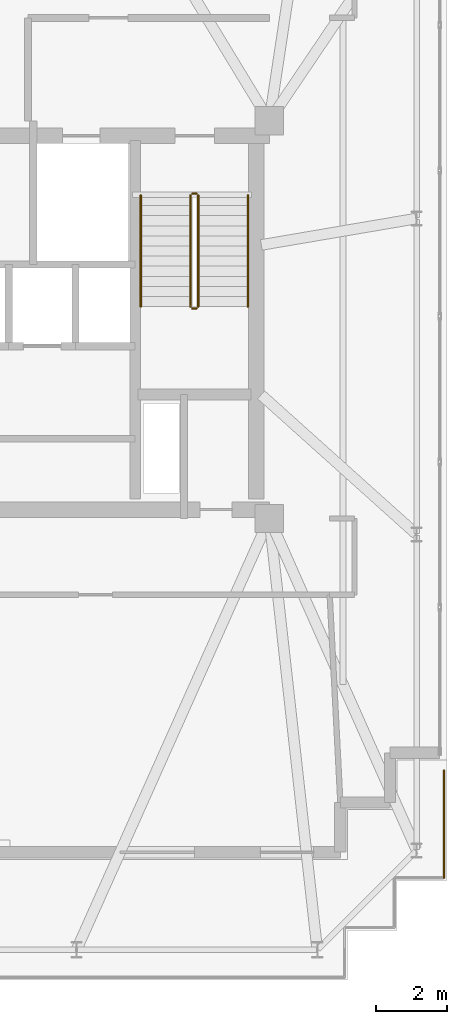
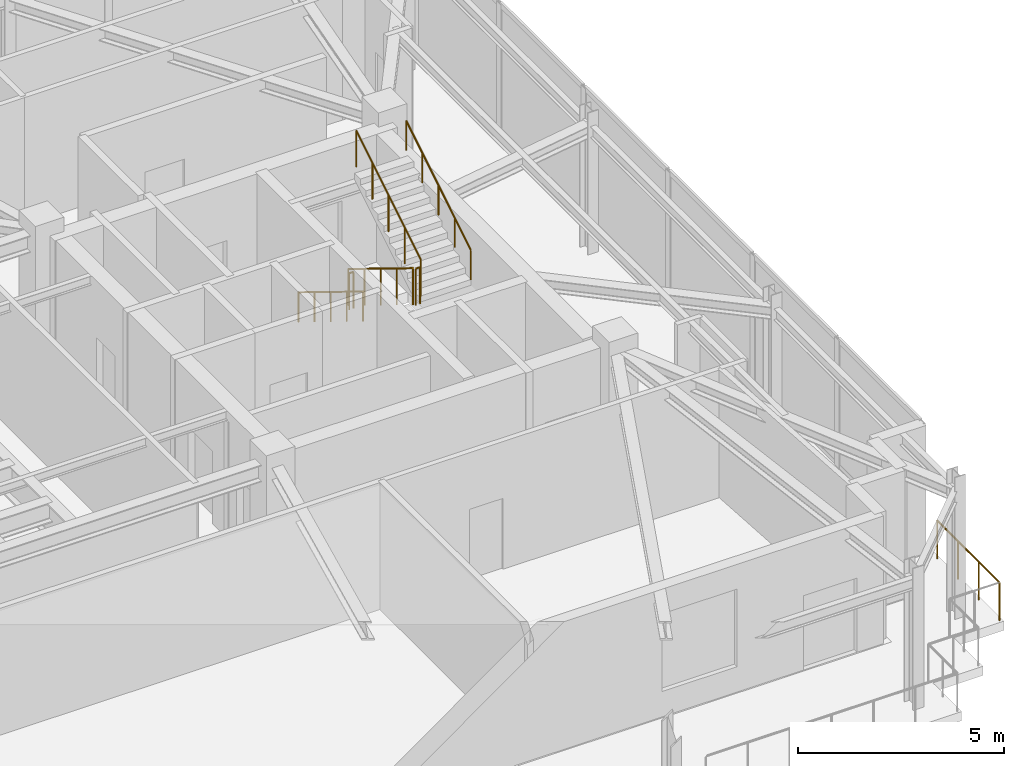
# One storey, part 24 of 24: 7 railings.
"""IFC4 building model written with IfcOpenShell, lengths in metres."""

from ifc_helpers import new_model, si_unit, direction, frame, origin, origin_2d, place, context, subcontext, project, spatial, circle, extrude, material, type_object, element, save


model = new_model("IFC4")

# Units and contexts
model_context = context("Model", 3, precision=1e-05, world=origin(), true_north=direction((0.0, 1.0)))
body_context = subcontext(model_context, "Body", "Model", "MODEL_VIEW")
ifc_project = project(units=[si_unit("LENGTHUNIT", "METRE"), si_unit("AREAUNIT", "SQUARE_METRE"), si_unit("VOLUMEUNIT", "CUBIC_METRE"), si_unit("PLANEANGLEUNIT", "RADIAN"), si_unit("MASSUNIT", "GRAM", prefix="KILO")], contexts=[model_context])

# Site, building, storey
site_placement = place(None, origin())
site = spatial("IfcSite", under=ifc_project, at=site_placement, CompositionType="ELEMENT")
building_placement = place(site_placement, origin())
building = spatial("IfcBuilding", under=site, at=building_placement, Name="Qobustan Lattice House", CompositionType="ELEMENT")
storey_placement = place(building_placement, frame((0.0, 0.0, 261.800048828125)))
storey = spatial("IfcBuildingStorey", under=building, at=storey_placement, Name="L74", CompositionType="ELEMENT", Elevation=261.800048828125)

# Railings
ifc_material_1 = material(Name="Brushed stainless steel handrail", Category="steel")
railing_type_1 = type_object("IfcRailingType", Name="RAL-HR-920", PredefinedType="HANDRAIL", material=ifc_material_1)
railing_1_placement = place(storey_placement, frame((15.179931640625, 3.5, 0.175048828125)))
element("IfcRailing", 1, at=railing_1_placement, inside=storey, type_object=railing_type_1, Name="L74 ST-E1 stair handrail 1", PredefinedType="HANDRAIL", context=body_context, shape_type="SweptSolid", body=[
    extrude(circle(Radius=0.02392578125, at=origin_2d()), frame((0.0, 0.0, 0.8759765625), z_axis=(0.0, -0.852195625947, 0.523223293744), x_axis=(1.0, 0.0, 0.0)), (0.0, 0.0, 1.0), 3.6787109375),
    extrude(circle(Radius=0.02099609375, at=origin_2d()), origin(), (0.0, 0.0, 1.0), 0.851806640625),
    extrude(circle(Radius=0.02099609375, at=origin_2d()), frame((0.0, -0.78369140625, 0.481201171875)), (0.0, 0.0, 1.0), 0.851806640625),
    extrude(circle(Radius=0.02099609375, at=origin_2d()), frame((0.0, -1.5673828125, 0.96240234375)), (0.0, 0.0, 1.0), 0.851806640625),
    extrude(circle(Radius=0.02099609375, at=origin_2d()), frame((0.0, -2.351318359375, 1.443603515625)), (0.0, 0.0, 1.0), 0.851806640625),
    extrude(circle(Radius=0.02099609375, at=origin_2d()), frame((0.0, -3.135009765625, 1.9248046875)), (0.0, 0.0, 1.0), 0.851806640625),
])
railing_2_placement = place(storey_placement, frame((18.199951171875, 0.364990234375, 2.27490234375)))
element("IfcRailing", 2, at=railing_2_placement, inside=storey, type_object=railing_type_1, Name="L74 ST-E1 stair handrail 2", PredefinedType="HANDRAIL", context=body_context, shape_type="SweptSolid", body=[
    extrude(circle(Radius=0.02392578125, at=origin_2d()), frame((0.0, 0.0, 0.8759765625), z_axis=(0.0, 0.852166034122, 0.523271488128), x_axis=(-1.0, 0.0, 0.0)), (0.0, 0.0, 1.0), 3.678955078125),
    extrude(circle(Radius=0.02099609375, at=origin_2d()), origin(), (0.0, 0.0, 1.0), 0.851806640625),
    extrude(circle(Radius=0.02099609375, at=origin_2d()), frame((0.0, 0.78369140625, 0.481201171875)), (0.0, 0.0, 1.0), 0.851806640625),
    extrude(circle(Radius=0.02099609375, at=origin_2d()), frame((0.0, 1.5673828125, 0.96240234375)), (0.0, 0.0, 1.0), 0.851806640625),
    extrude(circle(Radius=0.02099609375, at=origin_2d()), frame((0.0, 2.351318359375, 1.44384765625)), (0.0, 0.0, 1.0), 0.851806640625),
    extrude(circle(Radius=0.02099609375, at=origin_2d()), frame((0.0, 3.135009765625, 1.925048828125)), (0.0, 0.0, 1.0), 0.851806640625),
])
ifc_material_2 = material(Name="Painted galvanized steel guardrail", Category="steel")
railing_type_2 = type_object("IfcRailingType", Name="RAL-STG-1150", PredefinedType="GUARDRAIL", material=ifc_material_2)
railing_3_placement = place(storey_placement, frame((16.580078125, 3.5, 0.175048828125)))
element("IfcRailing", 3, at=railing_3_placement, inside=storey, type_object=railing_type_2, Name="L74 ST-E1 stair guard 1", PredefinedType="GUARDRAIL", context=body_context, shape_type="SweptSolid", body=[
    extrude(circle(Radius=0.02392578125, at=origin_2d()), frame((0.0, 0.0, 1.076171875), z_axis=(0.0, -0.852195625947, 0.523223293744), x_axis=(1.0, 0.0, 0.0)), (0.0, 0.0, 1.0), 3.6787109375),
    extrude(circle(Radius=0.02099609375, at=origin_2d()), origin(), (0.0, 0.0, 1.0), 1.052001953125),
    extrude(circle(Radius=0.02099609375, at=origin_2d()), frame((0.0, -0.78369140625, 0.481201171875)), (0.0, 0.0, 1.0), 1.052001953125),
    extrude(circle(Radius=0.02099609375, at=origin_2d()), frame((0.0, -1.5673828125, 0.96240234375)), (0.0, 0.0, 1.0), 1.052001953125),
    extrude(circle(Radius=0.02099609375, at=origin_2d()), frame((0.0, -2.351318359375, 1.443603515625)), (0.0, 0.0, 1.0), 1.052001953125),
    extrude(circle(Radius=0.02099609375, at=origin_2d()), frame((0.0, -3.135009765625, 1.9248046875)), (0.0, 0.0, 1.0), 1.052001953125),
])
railing_4_placement = place(storey_placement, frame((16.6298828125, 0.31494140625, 2.099853515625)))
element("IfcRailing", 4, at=railing_4_placement, inside=storey, type_object=railing_type_2, Name="L74 ST-E1 stair guard 2", PredefinedType="GUARDRAIL", context=body_context, shape_type="SweptSolid", body=[
    extrude(circle(Radius=0.02392578125, at=origin_2d()), frame((0.0, 0.0, 1.076171875), z_axis=(1.0, 0.0, 0.0), x_axis=(0.0, 1.0, 0.0)), (0.0, 0.0, 1.0), 0.1201171875),
    extrude(circle(Radius=0.02099609375, at=origin_2d()), origin(), (0.0, 0.0, 1.0), 1.052001953125),
    extrude(circle(Radius=0.02099609375, at=origin_2d()), frame((0.1201171875, 0.0, 0.0)), (0.0, 0.0, 1.0), 1.052001953125),
])
railing_5_placement = place(storey_placement, frame((16.800048828125, 0.364990234375, 2.27490234375)))
element("IfcRailing", 5, at=railing_5_placement, inside=storey, type_object=railing_type_2, Name="L74 ST-E1 stair guard 3", PredefinedType="GUARDRAIL", context=body_context, shape_type="SweptSolid", body=[
    extrude(circle(Radius=0.02392578125, at=origin_2d()), frame((0.0, 0.0, 1.076171875), z_axis=(0.0, 0.852166034122, 0.523271488128), x_axis=(-1.0, 0.0, 0.0)), (0.0, 0.0, 1.0), 3.678955078125),
    extrude(circle(Radius=0.02099609375, at=origin_2d()), origin(), (0.0, 0.0, 1.0), 1.052001953125),
    extrude(circle(Radius=0.02099609375, at=origin_2d()), frame((0.0, 0.78369140625, 0.481201171875)), (0.0, 0.0, 1.0), 1.052001953125),
    extrude(circle(Radius=0.02099609375, at=origin_2d()), frame((0.0, 1.5673828125, 0.96240234375)), (0.0, 0.0, 1.0), 1.052001953125),
    extrude(circle(Radius=0.02099609375, at=origin_2d()), frame((0.0, 2.351318359375, 1.44384765625)), (0.0, 0.0, 1.0), 1.052001953125),
    extrude(circle(Radius=0.02099609375, at=origin_2d()), frame((0.0, 3.135009765625, 1.925048828125)), (0.0, 0.0, 1.0), 1.052001953125),
])
railing_6_placement = place(storey_placement, frame((16.6298828125, 3.550048828125, 0.0)))
element("IfcRailing", 6, at=railing_6_placement, inside=storey, type_object=railing_type_2, Name="L74 ST-E1 stair guard 4", PredefinedType="GUARDRAIL", context=body_context, shape_type="SweptSolid", body=[
    extrude(circle(Radius=0.02392578125, at=origin_2d()), frame((0.0, 0.0, 1.076171875), z_axis=(1.0, 0.0, 0.0), x_axis=(0.0, 1.0, 0.0)), (0.0, 0.0, 1.0), 0.1201171875),
    extrude(circle(Radius=0.02099609375, at=origin_2d()), origin(), (0.0, 0.0, 1.0), 1.052001953125),
    extrude(circle(Radius=0.02099609375, at=origin_2d()), frame((0.1201171875, 0.0, 0.0)), (0.0, 0.0, 1.0), 1.052001953125),
])
ifc_material_3 = material(Name="Anodised bronze and laminated glass balustrade", Category="glass")
railing_type_3 = type_object("IfcRailingType", Name="RAL-TERR-1150", PredefinedType="BALUSTRADE", material=ifc_material_3)
railing_7_placement = place(storey_placement, frame((23.719970703125, -12.699951171875, 0.0)))
element("IfcRailing", 7, at=railing_7_placement, inside=storey, type_object=railing_type_3, Name="L74 outdoor terrace balustrade 2", PredefinedType="BALUSTRADE", context=body_context, shape_type="SweptSolid", body=[
    extrude(circle(Radius=0.02392578125, at=origin_2d()), frame((0.0, 0.0, 1.1259765625), z_axis=(0.0, -1.0, 0.0), x_axis=(1.0, 0.0, 0.0)), (0.0, 0.0, 1.0), 3.02001953125),
    extrude(circle(Radius=0.02099609375, at=origin_2d()), origin(), (0.0, 0.0, 1.0), 1.101806640625),
    extrude(circle(Radius=0.02099609375, at=origin_2d()), frame((0.0, -1.006591796875, 0.0)), (0.0, 0.0, 1.0), 1.101806640625),
    extrude(circle(Radius=0.02099609375, at=origin_2d()), frame((0.0, -2.013427734375, 0.0)), (0.0, 0.0, 1.0), 1.101806640625),
    extrude(circle(Radius=0.02099609375, at=origin_2d()), frame((0.0, -3.02001953125, 0.0)), (0.0, 0.0, 1.0), 1.101806640625),
])

save(model, "model.ifc")
